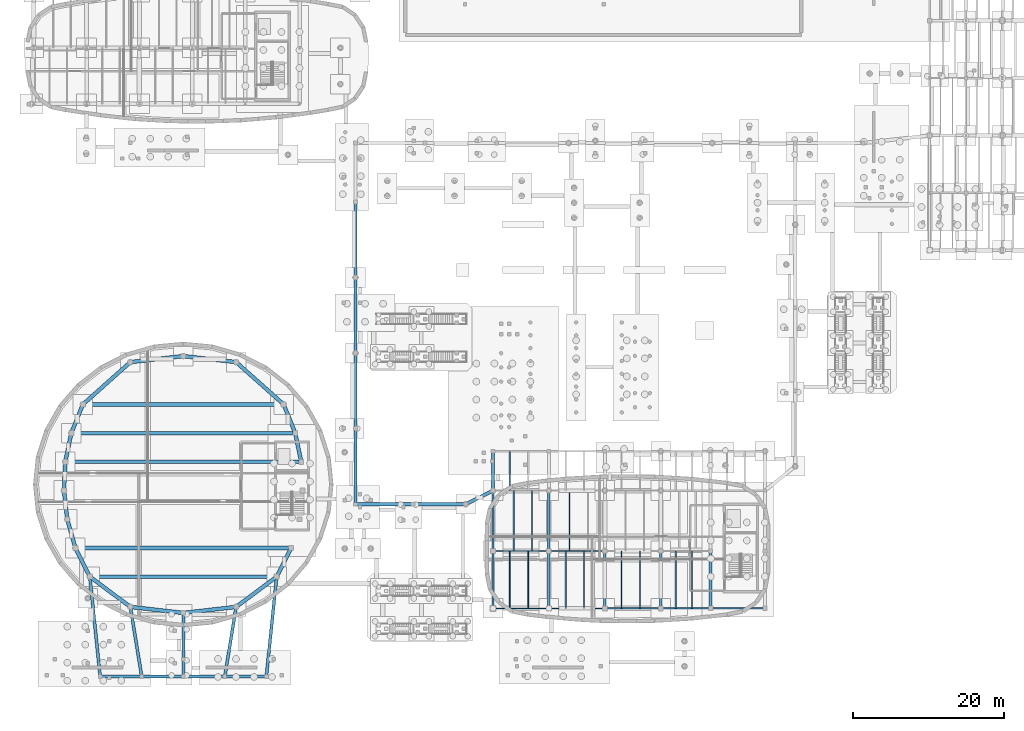
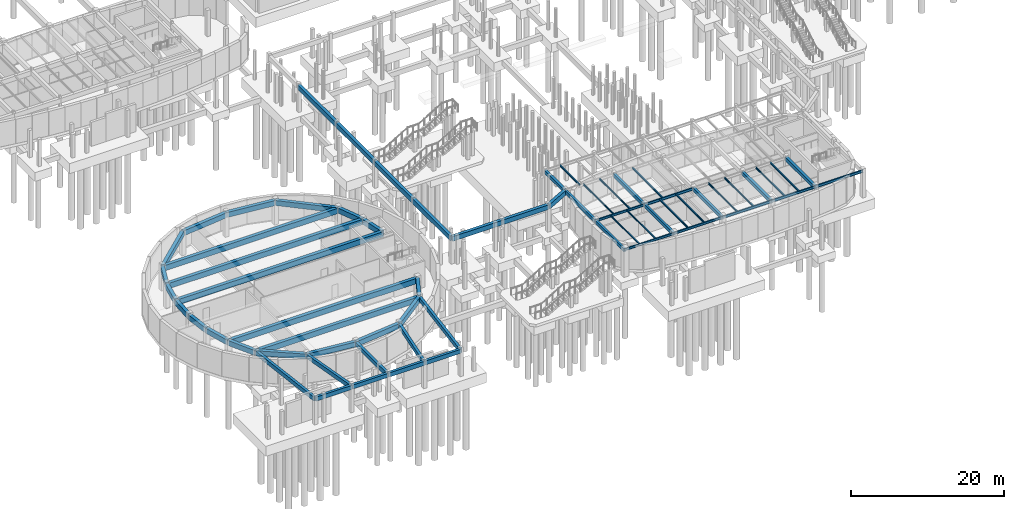
# One storey, part 26 of 45: 65 beams.
"""IFC4 building model written with IfcOpenShell, lengths in metres."""

from ifc_helpers import new_model, si_unit, direction, frame, origin, origin_2d, place, context, subcontext, project, spatial, rectangle, i_section, extrude, material, material_profile, profile_set, type_object, element, save


model = new_model("IFC4")

# Units and contexts
model_context = context("Model", 3, precision=1e-05, world=origin(), true_north=direction((0.0, 1.0)))
body_context = subcontext(model_context, "Body", "Model", "MODEL_VIEW")
ifc_project = project(units=[si_unit("LENGTHUNIT", "METRE"), si_unit("AREAUNIT", "SQUARE_METRE"), si_unit("VOLUMEUNIT", "CUBIC_METRE"), si_unit("PLANEANGLEUNIT", "RADIAN"), si_unit("MASSUNIT", "GRAM", prefix="KILO")], contexts=[model_context])

# Site, building, storey
site_placement = place(None, origin())
site = spatial("IfcSite", under=ifc_project, at=site_placement, CompositionType="ELEMENT")
building_placement = place(site_placement, origin())
building = spatial("IfcBuilding", under=site, at=building_placement, Name="Corveleigh Park Community Centre", CompositionType="ELEMENT")
storey_placement = place(building_placement, frame((0.0, 0.0, -4.199951171875)))
storey = spatial("IfcBuildingStorey", under=building, at=storey_placement, Name="B1", CompositionType="ELEMENT", Elevation=-4.199951171875)

# Beams
ifc_material_1 = material(Name="Concrete C40/50", Category="concrete")
ifc_material_profile_1 = material_profile(ifc_material_1, rectangle(XDim=0.300048828125, YDim=0.5, at=origin_2d()), Name="RC-300x500", Category="concrete")
ifc_profile_set_1 = profile_set([ifc_material_profile_1], Name="Concrete C40/50")
beam_type_1 = type_object("IfcBeamType", Name="BM-RC-300x500", PredefinedType="BEAM", material=ifc_profile_set_1)
beam_1_placement = place(storey_placement, frame((72.0, 11.205078125, 3.64697265625), z_axis=(0.0, 1.0, 0.0), x_axis=(-1.0, 0.0, 0.0)))
element("IfcBeam", 1, at=beam_1_placement, inside=storey, type_object=beam_type_1, Name="V3 Girder Y", PredefinedType="BEAM", context=body_context, shape_type="SweptSolid", body=[
    extrude(rectangle(XDim=0.300048828125, YDim=0.5, at=origin_2d()), origin(), (0.0, 0.0, 1.0), 7.58984375),
])
ifc_material_profile_2 = material_profile(ifc_material_1, rectangle(XDim=0.324951171875, YDim=0.52490234375, at=origin_2d()), Name="RC-325x525", Category="concrete")
ifc_profile_set_2 = profile_set([ifc_material_profile_2], Name="Concrete C40/50")
beam_type_2 = type_object("IfcBeamType", Name="BM-RC-325x525", PredefinedType="BEAM", material=ifc_profile_set_2)
beam_2_placement = place(storey_placement, frame((72.0, 18.804931640625, 3.634521484375), z_axis=(0.0, 1.0, 0.0), x_axis=(-1.0, 0.0, 0.0)))
element("IfcBeam", 2, at=beam_2_placement, inside=storey, type_object=beam_type_2, Name="V3 Girder Y", PredefinedType="BEAM", context=body_context, shape_type="SweptSolid", body=[
    extrude(rectangle(XDim=0.324951171875, YDim=0.52490234375, at=origin_2d()), origin(), (0.0, 0.0, 1.0), 7.989990234375),
])
beam_3_placement = place(storey_placement, frame((79.39990234375, 11.205078125, 3.634521484375), z_axis=(0.0, 1.0, 0.0), x_axis=(-1.0, 0.0, 0.0)))
element("IfcBeam", 3, at=beam_3_placement, inside=storey, type_object=beam_type_2, Name="V3 Girder Y", PredefinedType="BEAM", context=body_context, shape_type="SweptSolid", body=[
    extrude(rectangle(XDim=0.324951171875, YDim=0.52490234375, at=origin_2d()), origin(), (0.0, 0.0, 1.0), 7.58984375),
])
ifc_material_profile_3 = material_profile(ifc_material_1, rectangle(XDim=0.35009765625, YDim=0.550048828125, at=origin_2d()), Name="RC-350x550", Category="concrete")
ifc_profile_set_3 = profile_set([ifc_material_profile_3], Name="Concrete C40/50")
beam_type_3 = type_object("IfcBeamType", Name="BM-RC-350x550", PredefinedType="BEAM", material=ifc_profile_set_3)
beam_4_placement = place(storey_placement, frame((72.0, 26.804931640625, 3.6220703125), z_axis=(0.0, 1.0, 0.0), x_axis=(-1.0, 0.0, 0.0)))
element("IfcBeam", 4, at=beam_4_placement, inside=storey, type_object=beam_type_3, Name="V3 Girder Y", PredefinedType="BEAM", context=body_context, shape_type="SweptSolid", body=[
    extrude(rectangle(XDim=0.35009765625, YDim=0.550048828125, at=origin_2d()), origin(), (0.0, 0.0, 1.0), 5.190185546875),
])
beam_5_placement = place(storey_placement, frame((79.39990234375, 18.804931640625, 3.6220703125), z_axis=(0.0, 1.0, 0.0), x_axis=(-1.0, 0.0, 0.0)))
element("IfcBeam", 5, at=beam_5_placement, inside=storey, type_object=beam_type_3, Name="V3 Girder Y", PredefinedType="BEAM", context=body_context, shape_type="SweptSolid", body=[
    extrude(rectangle(XDim=0.35009765625, YDim=0.550048828125, at=origin_2d()), origin(), (0.0, 0.0, 1.0), 7.989990234375),
])
beam_6_placement = place(storey_placement, frame((86.800048828125, 11.205078125, 3.6220703125), z_axis=(0.0, 1.0, 0.0), x_axis=(-1.0, 0.0, 0.0)))
element("IfcBeam", 6, at=beam_6_placement, inside=storey, type_object=beam_type_3, Name="V3 Girder Y", PredefinedType="BEAM", context=body_context, shape_type="SweptSolid", body=[
    extrude(rectangle(XDim=0.35009765625, YDim=0.550048828125, at=origin_2d()), origin(), (0.0, 0.0, 1.0), 7.58984375),
])
ifc_material_profile_4 = material_profile(ifc_material_1, rectangle(XDim=0.375, YDim=0.574951171875, at=origin_2d()), Name="RC-375x575", Category="concrete")
ifc_profile_set_4 = profile_set([ifc_material_profile_4], Name="Concrete C40/50")
beam_type_4 = type_object("IfcBeamType", Name="BM-RC-375x575", PredefinedType="BEAM", material=ifc_profile_set_4)
beam_7_placement = place(storey_placement, frame((94.199951171875, 11.205078125, 3.609375), z_axis=(0.0, 1.0, 0.0), x_axis=(-1.0, 0.0, 0.0)))
element("IfcBeam", 7, at=beam_7_placement, inside=storey, type_object=beam_type_4, Name="V3 Girder Y", PredefinedType="BEAM", context=body_context, shape_type="SweptSolid", body=[
    extrude(rectangle(XDim=0.375, YDim=0.574951171875, at=origin_2d()), origin(), (0.0, 0.0, 1.0), 7.58984375),
])
ifc_material_profile_5 = material_profile(ifc_material_1, rectangle(XDim=0.39990234375, YDim=0.60009765625, at=origin_2d()), Name="RC-400x600", Category="concrete")
ifc_profile_set_5 = profile_set([ifc_material_profile_5], Name="Concrete C40/50")
beam_type_5 = type_object("IfcBeamType", Name="BM-RC-400x600", PredefinedType="BEAM", material=ifc_profile_set_5)
beam_8_placement = place(storey_placement, frame((100.800048828125, 11.205078125, 3.596923828125), z_axis=(0.0, 1.0, 0.0), x_axis=(-1.0, 0.0, 0.0)))
element("IfcBeam", 8, at=beam_8_placement, inside=storey, type_object=beam_type_5, Name="V3 Girder Y", PredefinedType="BEAM", context=body_context, shape_type="SweptSolid", body=[
    extrude(rectangle(XDim=0.39990234375, YDim=0.60009765625, at=origin_2d()), origin(), (0.0, 0.0, 1.0), 7.58984375),
])
ifc_material_profile_6 = material_profile(ifc_material_1, rectangle(XDim=0.39990234375, YDim=0.64990234375, at=origin_2d()), Name="RC-400x650", Category="concrete")
ifc_profile_set_6 = profile_set([ifc_material_profile_6], Name="Concrete C40/50")
beam_type_6 = type_object("IfcBeamType", Name="BM-RC-400x650", PredefinedType="BEAM", material=ifc_profile_set_6)
for number, where, z_axis, x_axis, name in (
    (9, (20.0048828125, 2.199951171875, 3.576904296875), (1.0, 0.0, 0.0), (0.0, 1.0, 0.0), "Colonnade Tie"),
    (10, (25.5048828125, 2.199951171875, 3.576904296875), (1.0, 0.0, 0.0), (0.0, 1.0, 0.0), "Colonnade Tie"),
    (11, (31.0048828125, 2.199951171875, 3.576904296875), (1.0, 0.0, 0.0), (0.0, 1.0, 0.0), "Colonnade Tie"),
    (12, (36.5048828125, 2.199951171875, 3.576904296875), (1.0, 0.0, 0.0), (0.0, 1.0, 0.0), "Colonnade Tie"),
):
    element("IfcBeam", number, at=place(storey_placement, frame(where, z_axis=z_axis, x_axis=x_axis)), inside=storey, type_object=beam_type_6, Name=name, PredefinedType="BEAM", context=body_context, shape_type="SweptSolid", body=[
        extrude(rectangle(XDim=0.39990234375, YDim=0.64990234375, at=origin_2d()), origin(), (0.0, 0.0, 1.0), 5.490234375),
    ])
beam_9_placement = place(storey_placement, frame((19.99951171875, 2.205078125, 3.5419921875), z_axis=(-0.102937468133, 0.994687829248, 0.0), x_axis=(-0.994687829248, -0.102937468133, 0.0)))
element("IfcBeam", 13, at=beam_9_placement, inside=storey, type_object=beam_type_6, Name="Colonnade Tie", PredefinedType="BEAM", context=body_context, shape_type="SweptSolid", body=[
    extrude(rectangle(XDim=0.39990234375, YDim=0.64990234375, at=origin_2d()), origin(), (0.0, 0.0, 1.0), 13.260498046875),
])
beam_10_placement = place(storey_placement, frame((25.499267578125, 2.204833984375, 3.5419921875), z_axis=(-0.160932800692, 0.986965365989, 0.0), x_axis=(-0.986965365989, -0.160932800692, 0.0)))
element("IfcBeam", 14, at=beam_10_placement, inside=storey, type_object=beam_type_6, Name="Colonnade Tie", PredefinedType="BEAM", context=body_context, shape_type="SweptSolid", body=[
    extrude(rectangle(XDim=0.39990234375, YDim=0.64990234375, at=origin_2d()), origin(), (0.0, 0.0, 1.0), 9.3115234375),
])
beam_11_placement = place(storey_placement, frame((31.0, 2.205078125, 3.5419921875), z_axis=(0.0, 1.0, 0.0), x_axis=(-1.0, 0.0, 0.0)))
element("IfcBeam", 15, at=beam_11_placement, inside=storey, type_object=beam_type_6, Name="Colonnade Tie", PredefinedType="BEAM", context=body_context, shape_type="SweptSolid", body=[
    extrude(rectangle(XDim=0.39990234375, YDim=0.64990234375, at=origin_2d()), origin(), (0.0, 0.0, 1.0), 8.389892578125),
])
beam_12_placement = place(storey_placement, frame((36.500732421875, 2.204833984375, 3.5419921875), z_axis=(0.160932800692, 0.986965365989, 0.0), x_axis=(-0.986965365989, 0.160932800692, 0.0)))
element("IfcBeam", 16, at=beam_12_placement, inside=storey, type_object=beam_type_6, Name="Colonnade Tie", PredefinedType="BEAM", context=body_context, shape_type="SweptSolid", body=[
    extrude(rectangle(XDim=0.39990234375, YDim=0.64990234375, at=origin_2d()), origin(), (0.0, 0.0, 1.0), 9.3115234375),
])
beam_13_placement = place(storey_placement, frame((42.00048828125, 2.205078125, 3.5419921875), z_axis=(0.102937468133, 0.994687829248, 0.0), x_axis=(-0.994687829248, 0.102937468133, 0.0)))
element("IfcBeam", 17, at=beam_13_placement, inside=storey, type_object=beam_type_6, Name="Colonnade Tie", PredefinedType="BEAM", context=body_context, shape_type="SweptSolid", body=[
    extrude(rectangle(XDim=0.39990234375, YDim=0.64990234375, at=origin_2d()), origin(), (0.0, 0.0, 1.0), 13.260498046875),
])
ifc_material_profile_7 = material_profile(ifc_material_1, rectangle(XDim=0.449951171875, YDim=0.75, at=origin_2d()), Name="RC-450x750", Category="concrete")
ifc_profile_set_7 = profile_set([ifc_material_profile_7], Name="Concrete C40/50")
beam_type_7 = type_object("IfcBeamType", Name="BM-RC-450x750", PredefinedType="BEAM", material=ifc_profile_set_7)
beam_14_placement = place(storey_placement, frame((53.804931640625, 25.0, 3.52685546875), z_axis=(1.0, 0.0, 0.0), x_axis=(0.0, 1.0, 0.0)))
element("IfcBeam", 18, at=beam_14_placement, inside=storey, type_object=beam_type_7, Name="Campus Substructure Tie Girder", PredefinedType="BEAM", context=body_context, shape_type="SweptSolid", body=[
    extrude(rectangle(XDim=0.449951171875, YDim=0.75, at=origin_2d()), origin(), (0.0, 0.0, 1.0), 7.590087890625),
])
beam_15_placement = place(storey_placement, frame((61.405029296875, 25.0, 3.536865234375), z_axis=(1.0, 0.0, 0.0), x_axis=(0.0, 1.0, 0.0)))
element("IfcBeam", 19, at=beam_15_placement, inside=storey, type_object=beam_type_7, Name="Campus Substructure Tie Girder", PredefinedType="BEAM", context=body_context, shape_type="SweptSolid", body=[
    extrude(rectangle(XDim=0.449951171875, YDim=0.75, at=origin_2d()), origin(), (0.0, 0.0, 1.0), 6.989990234375),
])
beam_16_placement = place(storey_placement, frame((68.404541015625, 25.002197265625, 3.52197265625), z_axis=(0.894415029203, 0.447237918267, 0.0), x_axis=(-0.447237918267, 0.894415029203, 0.0)))
element("IfcBeam", 20, at=beam_16_placement, inside=storey, type_object=beam_type_7, Name="Campus Substructure Tie Girder", PredefinedType="BEAM", context=body_context, shape_type="SweptSolid", body=[
    extrude(rectangle(XDim=0.449951171875, YDim=0.75, at=origin_2d()), origin(), (0.0, 0.0, 1.0), 4.014892578125),
])
for number, where, z_axis, x_axis, name in (
    (21, (53.800048828125, 25.0048828125, 3.52685546875), (0.0, 1.0, 0.0), (-1.0, 0.0, 0.0), "Campus Substructure Tie Girder"),
    (22, (53.800048828125, 35.0048828125, 3.52685546875), (0.0, 1.0, 0.0), (-1.0, 0.0, 0.0), "Campus Substructure Tie Girder"),
    (23, (53.800048828125, 45.0048828125, 3.536865234375), (0.0, 1.0, 0.0), (-1.0, 0.0, 0.0), "Campus Substructure Tie Girder"),
    (24, (53.800048828125, 55.0048828125, 3.536865234375), (0.0, 1.0, 0.0), (-1.0, 0.0, 0.0), "Campus Substructure Tie Girder"),
):
    element("IfcBeam", number, at=place(storey_placement, frame(where, z_axis=z_axis, x_axis=x_axis)), inside=storey, type_object=beam_type_7, Name=name, PredefinedType="BEAM", context=body_context, shape_type="SweptSolid", body=[
        extrude(rectangle(XDim=0.449951171875, YDim=0.75, at=origin_2d()), origin(), (0.0, 0.0, 1.0), 9.990234375),
    ])
ifc_material_profile_8 = material_profile(ifc_material_1, rectangle(XDim=0.5, YDim=0.800048828125, at=origin_2d()), Name="RC-500x800", Category="concrete")
ifc_profile_set_8 = profile_set([ifc_material_profile_8], Name="Concrete C40/50")
beam_type_8 = type_object("IfcBeamType", Name="BM-RC-500x800", PredefinedType="BEAM", material=ifc_profile_set_8)
for number, where, z_axis, x_axis, name in (
    (25, (24.0048828125, 11.3994140625, 3.467041015625), (0.993533567391, -0.113538761962, 0.0), (0.113538761962, 0.993533567391, 0.0), "V1 Drum Ring Girder"),
    (26, (31.0048828125, 10.6005859375, 3.467041015625), (0.993533567391, 0.113538761962, 0.0), (-0.113538761962, 0.993533567391, 0.0), "V1 Drum Ring Girder"),
):
    element("IfcBeam", number, at=place(storey_placement, frame(where, z_axis=z_axis, x_axis=x_axis)), inside=storey, type_object=beam_type_8, Name=name, PredefinedType="BEAM", context=body_context, shape_type="SweptSolid", body=[
        extrude(rectangle(XDim=0.5, YDim=0.800048828125, at=origin_2d()), origin(), (0.0, 0.0, 1.0), 7.03564453125),
    ])
beam_17_placement = place(storey_placement, frame((38.00390625, 11.403076171875, 3.467041015625), z_axis=(0.801771961873, 0.597630087223, 0.0), x_axis=(-0.597630087223, 0.801771961873, 0.0)))
element("IfcBeam", 27, at=beam_17_placement, inside=storey, type_object=beam_type_8, Name="V1 Drum Ring Girder", PredefinedType="BEAM", context=body_context, shape_type="SweptSolid", body=[
    extrude(rectangle(XDim=0.5, YDim=0.800048828125, at=origin_2d()), origin(), (0.0, 0.0, 1.0), 6.682861328125),
])
beam_18_placement = place(storey_placement, frame((43.3681640625, 15.404541015625, 3.467041015625), z_axis=(0.448916145361, 0.893573888626, 0.0), x_axis=(-0.893573888626, 0.448916145361, 0.0)))
element("IfcBeam", 28, at=beam_18_placement, inside=storey, type_object=beam_type_8, Name="V1 Drum Ring Girder", PredefinedType="BEAM", context=body_context, shape_type="SweptSolid", body=[
    extrude(rectangle(XDim=0.5, YDim=0.800048828125, at=origin_2d()), origin(), (0.0, 0.0, 1.0), 4.242431640625),
])
beam_19_placement = place(storey_placement, frame((46.613037109375, 30.60498046875, 3.467041015625), z_axis=(-0.204790105702, 0.978805911612, 0.0), x_axis=(-0.978805911612, -0.204790105702, 0.0)))
element("IfcBeam", 29, at=beam_19_placement, inside=storey, type_object=beam_type_8, Name="V1 Drum Ring Girder", PredefinedType="BEAM", context=body_context, shape_type="SweptSolid", body=[
    extrude(rectangle(XDim=0.5, YDim=0.800048828125, at=origin_2d()), origin(), (0.0, 0.0, 1.0), 3.8720703125),
])
beam_20_placement = place(storey_placement, frame((45.817138671875, 34.404541015625, 3.467041015625), z_axis=(-0.373254520888, 0.927728981242, 0.0), x_axis=(-0.927728981242, -0.373254520888, 0.0)))
element("IfcBeam", 30, at=beam_20_placement, inside=storey, type_object=beam_type_8, Name="V1 Drum Ring Girder", PredefinedType="BEAM", context=body_context, shape_type="SweptSolid", body=[
    extrude(rectangle(XDim=0.5, YDim=0.800048828125, at=origin_2d()), origin(), (0.0, 0.0, 1.0), 4.086181640625),
])
beam_21_placement = place(storey_placement, frame((44.286376953125, 38.203369140625, 3.467041015625), z_axis=(-0.746899880609, 0.664936514523, 0.0), x_axis=(-0.664936514523, -0.746899880609, 0.0)))
element("IfcBeam", 31, at=beam_21_placement, inside=storey, type_object=beam_type_8, Name="V1 Drum Ring Girder", PredefinedType="BEAM", context=body_context, shape_type="SweptSolid", body=[
    extrude(rectangle(XDim=0.5, YDim=0.800048828125, at=origin_2d()), origin(), (0.0, 0.0, 1.0), 8.41162109375),
])
for number, where, z_axis, x_axis, name in (
    (32, (37.9951171875, 43.800537109375, 3.467041015625), (-0.993533567391, 0.113538761962, 0.0), (-0.113538761962, -0.993533567391, 0.0), "V1 Drum Ring Girder"),
    (33, (30.9951171875, 44.599365234375, 3.467041015625), (-0.993533567391, -0.113538761962, 0.0), (0.113538761962, -0.993533567391, 0.0), "V1 Drum Ring Girder"),
):
    element("IfcBeam", number, at=place(storey_placement, frame(where, z_axis=z_axis, x_axis=x_axis)), inside=storey, type_object=beam_type_8, Name=name, PredefinedType="BEAM", context=body_context, shape_type="SweptSolid", body=[
        extrude(rectangle(XDim=0.5, YDim=0.800048828125, at=origin_2d()), origin(), (0.0, 0.0, 1.0), 7.03564453125),
    ])
beam_22_placement = place(storey_placement, frame((23.996337890625, 43.796630859375, 3.467041015625), z_axis=(-0.746899880609, -0.664936514523, 0.0), x_axis=(0.664936514523, -0.746899880609, 0.0)))
element("IfcBeam", 34, at=beam_22_placement, inside=storey, type_object=beam_type_8, Name="V1 Drum Ring Girder", PredefinedType="BEAM", context=body_context, shape_type="SweptSolid", body=[
    extrude(rectangle(XDim=0.5, YDim=0.800048828125, at=origin_2d()), origin(), (0.0, 0.0, 1.0), 8.41162109375),
])
beam_23_placement = place(storey_placement, frame((17.7080078125, 38.1953125, 3.467041015625), z_axis=(-0.373254520888, -0.927728981242, 0.0), x_axis=(0.927728981242, -0.373254520888, 0.0)))
element("IfcBeam", 35, at=beam_23_placement, inside=storey, type_object=beam_type_8, Name="V1 Drum Ring Girder", PredefinedType="BEAM", context=body_context, shape_type="SweptSolid", body=[
    extrude(rectangle(XDim=0.5, YDim=0.800048828125, at=origin_2d()), origin(), (0.0, 0.0, 1.0), 4.086181640625),
])
beam_24_placement = place(storey_placement, frame((16.179931640625, 34.39501953125, 3.467041015625), z_axis=(-0.204790105702, -0.978805911612, 0.0), x_axis=(0.978805911612, -0.204790105702, 0.0)))
element("IfcBeam", 36, at=beam_24_placement, inside=storey, type_object=beam_type_8, Name="V1 Drum Ring Girder", PredefinedType="BEAM", context=body_context, shape_type="SweptSolid", body=[
    extrude(rectangle(XDim=0.5, YDim=0.800048828125, at=origin_2d()), origin(), (0.0, 0.0, 1.0), 3.8720703125),
])
beam_25_placement = place(storey_placement, frame((15.3857421875, 30.594970703125, 3.467041015625), z_axis=(-0.045495229392, -0.998964555979, 0.0), x_axis=(0.998964555979, -0.045495229392, 0.0)))
element("IfcBeam", 37, at=beam_25_placement, inside=storey, type_object=beam_type_8, Name="V1 Drum Ring Girder", PredefinedType="BEAM", context=body_context, shape_type="SweptSolid", body=[
    extrude(rectangle(XDim=0.5, YDim=0.800048828125, at=origin_2d()), origin(), (0.0, 0.0, 1.0), 3.7939453125),
])
beam_26_placement = place(storey_placement, frame((15.213623046875, 26.794921875, 3.467041015625), z_axis=(0.111892750886, -0.993720288763, 0.0), x_axis=(0.993720288763, 0.111892750886, 0.0)))
element("IfcBeam", 38, at=beam_26_placement, inside=storey, type_object=beam_type_8, Name="V1 Drum Ring Girder", PredefinedType="BEAM", context=body_context, shape_type="SweptSolid", body=[
    extrude(rectangle(XDim=0.5, YDim=0.800048828125, at=origin_2d()), origin(), (0.0, 0.0, 1.0), 3.81396484375),
])
beam_27_placement = place(storey_placement, frame((15.642333984375, 22.9951171875, 3.467041015625), z_axis=(0.274336604371, -0.961633728351, 0.0), x_axis=(0.961633728351, 0.274336604371, 0.0)))
element("IfcBeam", 39, at=beam_27_placement, inside=storey, type_object=beam_type_8, Name="V1 Drum Ring Girder", PredefinedType="BEAM", context=body_context, shape_type="SweptSolid", body=[
    extrude(rectangle(XDim=0.5, YDim=0.800048828125, at=origin_2d()), origin(), (0.0, 0.0, 1.0), 3.94140625),
])
beam_28_placement = place(storey_placement, frame((16.727294921875, 19.195556640625, 3.467041015625), z_axis=(0.448916145361, -0.893573888626, 0.0), x_axis=(0.893573888626, 0.448916145361, 0.0)))
element("IfcBeam", 40, at=beam_28_placement, inside=storey, type_object=beam_type_8, Name="V1 Drum Ring Girder", PredefinedType="BEAM", context=body_context, shape_type="SweptSolid", body=[
    extrude(rectangle(XDim=0.5, YDim=0.800048828125, at=origin_2d()), origin(), (0.0, 0.0, 1.0), 4.242431640625),
])
beam_29_placement = place(storey_placement, frame((18.637939453125, 15.39697265625, 3.467041015625), z_axis=(0.801771961873, -0.597630087223, 0.0), x_axis=(0.597630087223, 0.801771961873, 0.0)))
element("IfcBeam", 41, at=beam_29_placement, inside=storey, type_object=beam_type_8, Name="V1 Drum Ring Girder", PredefinedType="BEAM", context=body_context, shape_type="SweptSolid", body=[
    extrude(rectangle(XDim=0.5, YDim=0.800048828125, at=origin_2d()), origin(), (0.0, 0.0, 1.0), 6.682861328125),
])
ifc_material_profile_9 = material_profile(ifc_material_1, rectangle(XDim=0.5, YDim=0.85009765625, at=origin_2d()), Name="RC-500x850", Category="concrete")
ifc_profile_set_9 = profile_set([ifc_material_profile_9], Name="Concrete C40/50")
beam_type_9 = type_object("IfcBeamType", Name="BM-RC-500x850", PredefinedType="BEAM", material=ifc_profile_set_9)
beam_30_placement = place(storey_placement, frame((18.638916015625, 15.39990234375, 3.44189453125), z_axis=(1.0, 0.0, 0.0), x_axis=(0.0, 1.0, 0.0)))
element("IfcBeam", 42, at=beam_30_placement, inside=storey, type_object=beam_type_9, Name="V1 Substructure Tie Girder", PredefinedType="BEAM", context=body_context, shape_type="SweptSolid", body=[
    extrude(rectangle(XDim=0.5, YDim=0.85009765625, at=origin_2d()), origin(), (0.0, 0.0, 1.0), 24.72216796875),
])
beam_31_placement = place(storey_placement, frame((16.72998046875, 19.199951171875, 3.44189453125), z_axis=(1.0, 0.0, 0.0), x_axis=(0.0, 1.0, 0.0)))
element("IfcBeam", 43, at=beam_31_placement, inside=storey, type_object=beam_type_9, Name="V1 Substructure Tie Girder", PredefinedType="BEAM", context=body_context, shape_type="SweptSolid", body=[
    extrude(rectangle(XDim=0.5, YDim=0.85009765625, at=origin_2d()), origin(), (0.0, 0.0, 1.0), 28.5400390625),
])
beam_32_placement = place(storey_placement, frame((15.39111328125, 30.60009765625, 3.44189453125), z_axis=(1.0, 0.0, 0.0), x_axis=(0.0, 1.0, 0.0)))
element("IfcBeam", 44, at=beam_32_placement, inside=storey, type_object=beam_type_9, Name="V1 Substructure Tie Girder", PredefinedType="BEAM", context=body_context, shape_type="SweptSolid", body=[
    extrude(rectangle(XDim=0.5, YDim=0.85009765625, at=origin_2d()), origin(), (0.0, 0.0, 1.0), 31.2177734375),
])
beam_33_placement = place(storey_placement, frame((16.18603515625, 34.39990234375, 3.44189453125), z_axis=(1.0, 0.0, 0.0), x_axis=(0.0, 1.0, 0.0)))
element("IfcBeam", 45, at=beam_33_placement, inside=storey, type_object=beam_type_9, Name="V1 Substructure Tie Girder", PredefinedType="BEAM", context=body_context, shape_type="SweptSolid", body=[
    extrude(rectangle(XDim=0.5, YDim=0.85009765625, at=origin_2d()), origin(), (0.0, 0.0, 1.0), 29.6279296875),
])
beam_34_placement = place(storey_placement, frame((17.715087890625, 38.199951171875, 3.44189453125), z_axis=(1.0, 0.0, 0.0), x_axis=(0.0, 1.0, 0.0)))
element("IfcBeam", 46, at=beam_34_placement, inside=storey, type_object=beam_type_9, Name="V1 Substructure Tie Girder", PredefinedType="BEAM", context=body_context, shape_type="SweptSolid", body=[
    extrude(rectangle(XDim=0.5, YDim=0.85009765625, at=origin_2d()), origin(), (0.0, 0.0, 1.0), 26.56982421875),
])
ifc_material_2 = material(Name="Steel S355", Category="steel")
ifc_material_profile_10 = material_profile(ifc_material_2, i_section(OverallWidth=0.1337890625, OverallDepth=0.206787109375, WebThickness=0.00634765625, FlangeThickness=0.009521484375, at=origin_2d()), Name="UKB 203x133x30", Category="steel")
ifc_profile_set_10 = profile_set([ifc_material_profile_10], Name="Steel S355")
beam_type_10 = type_object("IfcBeamType", Name="BM-STL-UKB203x30", PredefinedType="JOIST", material=ifc_profile_set_10)
for number, where, z_axis, x_axis, name in (
    (47, (74.219970703125, 11.205078125, 3.79345703125), (0.0, 1.0, 0.0), (-1.0, 0.0, 0.0), "Secondary floor joist"),
    (48, (76.662109375, 11.205078125, 3.79345703125), (0.0, 1.0, 0.0), (-1.0, 0.0, 0.0), "Secondary floor joist"),
):
    element("IfcBeam", number, at=place(storey_placement, frame(where, z_axis=z_axis, x_axis=x_axis)), inside=storey, type_object=beam_type_10, Name=name, PredefinedType="JOIST", context=body_context, shape_type="SweptSolid", body=[
        extrude(i_section(OverallWidth=0.1337890625, OverallDepth=0.206787109375, WebThickness=0.00634765625, FlangeThickness=0.009521484375, at=origin_2d()), origin(), (0.0, 0.0, 1.0), 7.58984375),
    ])
ifc_material_profile_11 = material_profile(ifc_material_2, i_section(OverallWidth=0.14599609375, OverallDepth=0.25146484375, WebThickness=0.006103515625, FlangeThickness=0.008544921875, at=origin_2d()), Name="UKB 254x146x31", Category="steel")
ifc_profile_set_11 = profile_set([ifc_material_profile_11], Name="Steel S355")
beam_type_11 = type_object("IfcBeamType", Name="BM-STL-UKB254x31", PredefinedType="JOIST", material=ifc_profile_set_11)
for number, where, z_axis, x_axis, name in (
    (49, (74.738037109375, 18.804931640625, 3.771240234375), (0.0, 1.0, 0.0), (-1.0, 0.0, 0.0), "Secondary floor joist"),
    (50, (77.179931640625, 18.804931640625, 3.771240234375), (0.0, 1.0, 0.0), (-1.0, 0.0, 0.0), "Secondary floor joist"),
):
    element("IfcBeam", number, at=place(storey_placement, frame(where, z_axis=z_axis, x_axis=x_axis)), inside=storey, type_object=beam_type_11, Name=name, PredefinedType="JOIST", context=body_context, shape_type="SweptSolid", body=[
        extrude(i_section(OverallWidth=0.14599609375, OverallDepth=0.25146484375, WebThickness=0.006103515625, FlangeThickness=0.008544921875, at=origin_2d()), origin(), (0.0, 0.0, 1.0), 7.989990234375),
    ])
for number, where, z_axis, x_axis, name in (
    (51, (81.6201171875, 11.205078125, 3.771240234375), (0.0, 1.0, 0.0), (-1.0, 0.0, 0.0), "Secondary floor joist"),
    (52, (84.06201171875, 11.205078125, 3.771240234375), (0.0, 1.0, 0.0), (-1.0, 0.0, 0.0), "Secondary floor joist"),
):
    element("IfcBeam", number, at=place(storey_placement, frame(where, z_axis=z_axis, x_axis=x_axis)), inside=storey, type_object=beam_type_11, Name=name, PredefinedType="JOIST", context=body_context, shape_type="SweptSolid", body=[
        extrude(i_section(OverallWidth=0.14599609375, OverallDepth=0.25146484375, WebThickness=0.006103515625, FlangeThickness=0.008544921875, at=origin_2d()), origin(), (0.0, 0.0, 1.0), 7.58984375),
    ])
ifc_material_profile_12 = material_profile(ifc_material_2, i_section(OverallWidth=0.146484375, OverallDepth=0.256103515625, WebThickness=0.00634765625, FlangeThickness=0.010986328125, at=origin_2d()), Name="UKB 254x146x37", Category="steel")
ifc_profile_set_12 = profile_set([ifc_material_profile_12], Name="Steel S355")
beam_type_12 = type_object("IfcBeamType", Name="BM-STL-UKB254x37", PredefinedType="JOIST", material=ifc_profile_set_12)
beam_35_placement = place(storey_placement, frame((74.219970703125, 26.804931640625, 3.76904296875), z_axis=(0.0, 1.0, 0.0), x_axis=(-1.0, 0.0, 0.0)))
element("IfcBeam", 53, at=beam_35_placement, inside=storey, type_object=beam_type_12, Name="Secondary floor joist", PredefinedType="JOIST", context=body_context, shape_type="SweptSolid", body=[
    extrude(i_section(OverallWidth=0.146484375, OverallDepth=0.256103515625, WebThickness=0.00634765625, FlangeThickness=0.010986328125, at=origin_2d()), origin(), (0.0, 0.0, 1.0), 5.190185546875),
])
beam_36_placement = place(storey_placement, frame((82.137939453125, 18.804931640625, 3.76904296875), z_axis=(0.0, 1.0, 0.0), x_axis=(-1.0, 0.0, 0.0)))
element("IfcBeam", 54, at=beam_36_placement, inside=storey, type_object=beam_type_12, Name="Secondary floor joist", PredefinedType="JOIST", context=body_context, shape_type="SweptSolid", body=[
    extrude(i_section(OverallWidth=0.146484375, OverallDepth=0.256103515625, WebThickness=0.00634765625, FlangeThickness=0.010986328125, at=origin_2d()), origin(), (0.0, 0.0, 1.0), 7.989990234375),
])
for number, where, z_axis, x_axis, name in (
    (55, (89.02001953125, 11.205078125, 3.76904296875), (0.0, 1.0, 0.0), (-1.0, 0.0, 0.0), "Secondary floor joist"),
    (56, (91.4619140625, 11.205078125, 3.76904296875), (0.0, 1.0, 0.0), (-1.0, 0.0, 0.0), "Secondary floor joist"),
):
    element("IfcBeam", number, at=place(storey_placement, frame(where, z_axis=z_axis, x_axis=x_axis)), inside=storey, type_object=beam_type_12, Name=name, PredefinedType="JOIST", context=body_context, shape_type="SweptSolid", body=[
        extrude(i_section(OverallWidth=0.146484375, OverallDepth=0.256103515625, WebThickness=0.00634765625, FlangeThickness=0.010986328125, at=origin_2d()), origin(), (0.0, 0.0, 1.0), 7.58984375),
    ])
ifc_material_profile_13 = material_profile(ifc_material_2, i_section(OverallWidth=0.147216796875, OverallDepth=0.259521484375, WebThickness=0.007080078125, FlangeThickness=0.0126953125, at=origin_2d()), Name="UKB 254x146x43", Category="steel")
ifc_profile_set_13 = profile_set([ifc_material_profile_13], Name="Steel S355")
beam_type_13 = type_object("IfcBeamType", Name="BM-STL-UKB254x43", PredefinedType="JOIST", material=ifc_profile_set_13)
for number, where, z_axis, x_axis, name in (
    (57, (96.179931640625, 11.205078125, 3.76708984375), (0.0, 1.0, 0.0), (-1.0, 0.0, 0.0), "Secondary floor joist"),
    (58, (98.35791015625, 11.205078125, 3.76708984375), (0.0, 1.0, 0.0), (-1.0, 0.0, 0.0), "Secondary floor joist"),
):
    element("IfcBeam", number, at=place(storey_placement, frame(where, z_axis=z_axis, x_axis=x_axis)), inside=storey, type_object=beam_type_13, Name=name, PredefinedType="JOIST", context=body_context, shape_type="SweptSolid", body=[
        extrude(i_section(OverallWidth=0.147216796875, OverallDepth=0.259521484375, WebThickness=0.007080078125, FlangeThickness=0.0126953125, at=origin_2d()), origin(), (0.0, 0.0, 1.0), 7.58984375),
    ])
ifc_material_profile_14 = material_profile(ifc_material_2, i_section(OverallWidth=0.172119140625, OverallDepth=0.35791015625, WebThickness=0.008056640625, FlangeThickness=0.012939453125, at=origin_2d()), Name="UKB 356x171x57", Category="steel")
ifc_profile_set_14 = profile_set([ifc_material_profile_14], Name="Steel S355")
beam_type_14 = type_object("IfcBeamType", Name="BM-STL-UKB356x57", PredefinedType="BEAM", material=ifc_profile_set_14)
beam_37_placement = place(storey_placement, frame((72.0048828125, 11.199951171875, 3.718017578125), z_axis=(1.0, 0.0, 0.0), x_axis=(0.0, 1.0, 0.0)))
element("IfcBeam", 59, at=beam_37_placement, inside=storey, type_object=beam_type_14, Name="V3 Girder X", PredefinedType="BEAM", context=body_context, shape_type="SweptSolid", body=[
    extrude(i_section(OverallWidth=0.172119140625, OverallDepth=0.35791015625, WebThickness=0.008056640625, FlangeThickness=0.012939453125, at=origin_2d()), origin(), (0.0, 0.0, 1.0), 7.39013671875),
])
ifc_material_profile_15 = material_profile(ifc_material_2, i_section(OverallWidth=0.173095703125, OverallDepth=0.36328125, WebThickness=0.009033203125, FlangeThickness=0.015625, at=origin_2d()), Name="UKB 356x171x67", Category="steel")
ifc_profile_set_15 = profile_set([ifc_material_profile_15], Name="Steel S355")
beam_type_15 = type_object("IfcBeamType", Name="BM-STL-UKB356x67", PredefinedType="BEAM", material=ifc_profile_set_15)
beam_38_placement = place(storey_placement, frame((79.405029296875, 11.199951171875, 3.71533203125), z_axis=(1.0, 0.0, 0.0), x_axis=(0.0, 1.0, 0.0)))
element("IfcBeam", 60, at=beam_38_placement, inside=storey, type_object=beam_type_15, Name="V3 Girder X", PredefinedType="BEAM", context=body_context, shape_type="SweptSolid", body=[
    extrude(i_section(OverallWidth=0.173095703125, OverallDepth=0.36328125, WebThickness=0.009033203125, FlangeThickness=0.015625, at=origin_2d()), origin(), (0.0, 0.0, 1.0), 7.389892578125),
])
beam_39_placement = place(storey_placement, frame((72.0048828125, 18.800048828125, 3.71533203125), z_axis=(1.0, 0.0, 0.0), x_axis=(0.0, 1.0, 0.0)))
element("IfcBeam", 61, at=beam_39_placement, inside=storey, type_object=beam_type_15, Name="V3 Girder X", PredefinedType="BEAM", context=body_context, shape_type="SweptSolid", body=[
    extrude(i_section(OverallWidth=0.173095703125, OverallDepth=0.36328125, WebThickness=0.009033203125, FlangeThickness=0.015625, at=origin_2d()), origin(), (0.0, 0.0, 1.0), 7.39013671875),
])
ifc_material_profile_16 = material_profile(ifc_material_2, i_section(OverallWidth=0.177978515625, OverallDepth=0.406494140625, WebThickness=0.0078125, FlangeThickness=0.0126953125, at=origin_2d()), Name="UKB 406x178x60", Category="steel")
ifc_profile_set_16 = profile_set([ifc_material_profile_16], Name="Steel S355")
beam_type_16 = type_object("IfcBeamType", Name="BM-STL-UKB406x60", PredefinedType="BEAM", material=ifc_profile_set_16)
beam_40_placement = place(storey_placement, frame((86.804931640625, 11.199951171875, 3.69384765625), z_axis=(1.0, 0.0, 0.0), x_axis=(0.0, 1.0, 0.0)))
element("IfcBeam", 62, at=beam_40_placement, inside=storey, type_object=beam_type_16, Name="V3 Girder X", PredefinedType="BEAM", context=body_context, shape_type="SweptSolid", body=[
    extrude(i_section(OverallWidth=0.177978515625, OverallDepth=0.406494140625, WebThickness=0.0078125, FlangeThickness=0.0126953125, at=origin_2d()), origin(), (0.0, 0.0, 1.0), 7.39013671875),
])
beam_41_placement = place(storey_placement, frame((79.405029296875, 18.800048828125, 3.69384765625), z_axis=(1.0, 0.0, 0.0), x_axis=(0.0, 1.0, 0.0)))
element("IfcBeam", 63, at=beam_41_placement, inside=storey, type_object=beam_type_16, Name="V3 Girder X", PredefinedType="BEAM", context=body_context, shape_type="SweptSolid", body=[
    extrude(i_section(OverallWidth=0.177978515625, OverallDepth=0.406494140625, WebThickness=0.0078125, FlangeThickness=0.0126953125, at=origin_2d()), origin(), (0.0, 0.0, 1.0), 7.389892578125),
])
ifc_material_profile_17 = material_profile(ifc_material_2, i_section(OverallWidth=0.1787109375, OverallDepth=0.409423828125, WebThickness=0.0087890625, FlangeThickness=0.014404296875, at=origin_2d()), Name="UKB 406x178x67", Category="steel")
ifc_profile_set_17 = profile_set([ifc_material_profile_17], Name="Steel S355")
beam_type_17 = type_object("IfcBeamType", Name="BM-STL-UKB406x67", PredefinedType="BEAM", material=ifc_profile_set_17)
beam_42_placement = place(storey_placement, frame((94.205078125, 11.199951171875, 3.692138671875), z_axis=(1.0, 0.0, 0.0), x_axis=(0.0, 1.0, 0.0)))
element("IfcBeam", 64, at=beam_42_placement, inside=storey, type_object=beam_type_17, Name="V3 Girder X", PredefinedType="BEAM", context=body_context, shape_type="SweptSolid", body=[
    extrude(i_section(OverallWidth=0.1787109375, OverallDepth=0.409423828125, WebThickness=0.0087890625, FlangeThickness=0.014404296875, at=origin_2d()), origin(), (0.0, 0.0, 1.0), 6.58984375),
])
ifc_material_profile_18 = material_profile(ifc_material_2, i_section(OverallWidth=0.179443359375, OverallDepth=0.412841796875, WebThickness=0.009521484375, FlangeThickness=0.01611328125, at=origin_2d()), Name="UKB 406x178x74", Category="steel")
ifc_profile_set_18 = profile_set([ifc_material_profile_18], Name="Steel S355")
beam_type_18 = type_object("IfcBeamType", Name="BM-STL-UKB406x74", PredefinedType="BEAM", material=ifc_profile_set_18)
beam_43_placement = place(storey_placement, frame((100.804931640625, 11.199951171875, 3.6904296875), z_axis=(1.0, 0.0, 0.0), x_axis=(0.0, 1.0, 0.0)))
element("IfcBeam", 65, at=beam_43_placement, inside=storey, type_object=beam_type_18, Name="V3 Girder X", PredefinedType="BEAM", context=body_context, shape_type="SweptSolid", body=[
    extrude(i_section(OverallWidth=0.179443359375, OverallDepth=0.412841796875, WebThickness=0.009521484375, FlangeThickness=0.01611328125, at=origin_2d()), origin(), (0.0, 0.0, 1.0), 7.190185546875),
])

save(model, "model.ifc")
